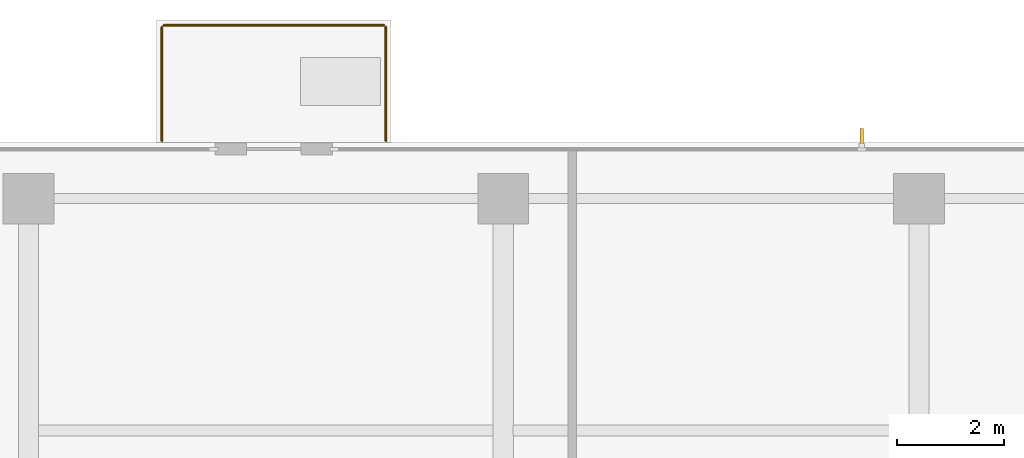
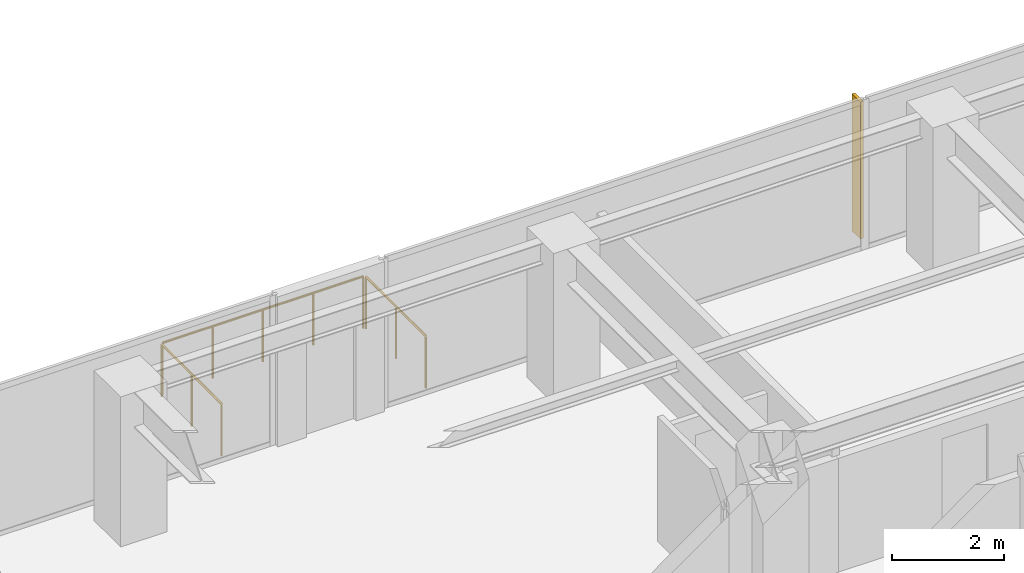
# One storey, part 14 of 14: 3 railings, 1 shading device.
"""IFC4 building model written with IfcOpenShell, lengths in metres."""

import ifcopenshell
import ifcopenshell.guid

model = None  # the IFC model being written
_history = None  # IfcOwnerHistory: only IFC2X3 demands one
_inside = {}  # id of a spatial element -> (the spatial element, [elements in it])
_under = {}  # id of a project, library or spatial element -> (it, [spatial elements below it])
_declared = {}  # id of a project -> (the project, [libraries it declares])
_typed = {}  # id of a type object -> (the type object, [elements of that type])
_made_of = {}  # id of a material, layer set ... -> (it, [elements and type objects made of it])


def new_model(schema):
    """Start an empty IFC model of exactly this schema.

    Asked for "IFC4X3", IfcOpenShell would pick the latest addendum, in which some entities
    have other attributes; the version numbers below select the first issue.
    IFC2X3 requires an IfcOwnerHistory on every rooted entity: one is made here for all.
    """
    global model, _history
    if schema == "IFC4X3":
        model = ifcopenshell.file(schema_version=(4, 3, 0, 0))
    else:
        model = ifcopenshell.file(schema=schema)
    _inside.clear()
    _under.clear()
    _declared.clear()
    _typed.clear()
    _made_of.clear()
    _history = None
    if model.schema == "IFC2X3":
        org = make("IfcOrganization", Name="unknown")
        user = make(
            "IfcPersonAndOrganization",
            ThePerson=make("IfcPerson", FamilyName="unknown"),
            TheOrganization=org,
        )
        app = make(
            "IfcApplication",
            ApplicationDeveloper=org,
            Version="unknown",
            ApplicationFullName="unknown",
            ApplicationIdentifier="unknown",
        )
        _history = make(
            "IfcOwnerHistory",
            OwningUser=user,
            OwningApplication=app,
            ChangeAction="ADDED",
            CreationDate=0,
        )
    return model


def make(cls, **values):
    """One entity of the class cls with the attributes given. An attribute that is None is left unset."""
    return model.create_entity(
        cls, **{name: value for name, value in values.items() if value is not None}
    )


def rooted(cls, **values):
    """An entity with a GlobalId (a new one), such as an element, a storey or a relation."""
    return make(cls, GlobalId=ifcopenshell.guid.new(), OwnerHistory=_history, **values)


def si_unit(unit_type, name, prefix=None):
    """IfcSIUnit, for example si_unit("LENGTHUNIT", "METRE", prefix="MILLI")."""
    return make("IfcSIUnit", UnitType=unit_type, Prefix=prefix, Name=name)


def assignment(units):
    """IfcUnitAssignment: the units of a project."""
    return None if units is None else make("IfcUnitAssignment", Units=units)


def point(xyz):
    """IfcCartesianPoint."""
    return None if xyz is None else make("IfcCartesianPoint", Coordinates=xyz)


def direction(xyz):
    """IfcDirection."""
    return None if xyz is None else make("IfcDirection", DirectionRatios=xyz)


def frame(location, z_axis=None, x_axis=None):
    """IfcAxis2Placement3D, a coordinate frame: its origin and axes. An axis left out is left unset."""
    return make(
        "IfcAxis2Placement3D",
        Location=point(location),
        Axis=direction(z_axis),
        RefDirection=direction(x_axis),
    )


def frame_2d(location, x_axis=None):
    """IfcAxis2Placement2D, a coordinate frame in the plane: its origin and x axis."""
    return make(
        "IfcAxis2Placement2D", Location=point(location), RefDirection=direction(x_axis)
    )


def origin():
    """The frame at (0, 0, 0) with its axes left unset."""
    return frame((0.0, 0.0, 0.0))


def origin_2d():
    """The frame at (0, 0) in the plane with its x axis left unset."""
    return frame_2d((0.0, 0.0))


def place(relative_to, where):
    """IfcLocalPlacement: puts the frame where relative to a parent placement (None: the world)."""
    return make(
        "IfcLocalPlacement", PlacementRelTo=relative_to, RelativePlacement=where
    )


def context(
    kind, dimensions, precision=None, world=None, true_north=None, identifier=None
):
    """IfcGeometricRepresentationContext, for example the 3D "Model" context."""
    return make(
        "IfcGeometricRepresentationContext",
        ContextIdentifier=identifier,
        ContextType=kind,
        CoordinateSpaceDimension=dimensions,
        Precision=precision,
        WorldCoordinateSystem=world,
        TrueNorth=true_north,
    )


def subcontext(parent, identifier, kind, view, scale=None):
    """IfcGeometricRepresentationSubContext, for example "Body" below "Model"."""
    return make(
        "IfcGeometricRepresentationSubContext",
        ContextIdentifier=identifier,
        ContextType=kind,
        ParentContext=parent,
        TargetScale=scale,
        TargetView=view,
    )


def project(units=None, contexts=None):
    """IfcProject with its units and contexts."""
    return rooted(
        "IfcProject",
        Name="project",
        RepresentationContexts=contexts,
        UnitsInContext=assignment(units),
    )


def spatial(cls, under=None, at=None, **own):
    """A site, building, storey or space (cls), placed at a placement, below another one or the project."""
    s = rooted(cls, ObjectPlacement=at, **own)
    if under is not None:
        _under.setdefault(under.id(), (under, []))[1].append(s)
    return s


def polyline(points):
    """IfcPolyline through the points."""
    return make("IfcPolyline", Points=[point(p) for p in points])


def profile(cls, at=None, kind="AREA", **sizes):
    """A parametric profile (cls). Its sizes go by their IFC names, for example OverallWidth=200.0."""
    return make(cls, ProfileType=kind, Position=at, **sizes)


def circle(**sizes):
    """IfcCircleProfileDef."""
    return profile("IfcCircleProfileDef", **sizes)


def outline(outer, holes=None, kind="AREA"):
    """IfcArbitraryClosedProfileDef: a profile drawn as a closed curve; with holes, ...WithVoids."""
    if holes is None:
        return make("IfcArbitraryClosedProfileDef", ProfileType=kind, OuterCurve=outer)
    return make(
        "IfcArbitraryProfileDefWithVoids",
        ProfileType=kind,
        OuterCurve=outer,
        InnerCurves=holes,
    )


def extrude(swept, where, along, depth):
    """IfcExtrudedAreaSolid: the profile swept, set in the frame where, extruded along a direction by depth."""
    return make(
        "IfcExtrudedAreaSolid",
        SweptArea=swept,
        Position=where,
        ExtrudedDirection=direction(along),
        Depth=depth,
    )


def shape(context_of_items, identifier, shape_type, items):
    """IfcShapeRepresentation: the items that make up one representation, for example the "Body"."""
    return make(
        "IfcShapeRepresentation",
        ContextOfItems=context_of_items,
        RepresentationIdentifier=identifier,
        RepresentationType=shape_type,
        Items=items,
    )


def material(Name=None, Category=None):
    """IfcMaterial."""
    return make("IfcMaterial", Name=Name, Category=Category)


def layer(
    of_material, thickness, ventilated=None, Name=None, Category=None, Priority=None
):
    """IfcMaterialLayer: one layer of a wall or slab, of a material (None: an air gap)."""
    return make(
        "IfcMaterialLayer",
        Material=of_material,
        LayerThickness=thickness,
        IsVentilated=ventilated,
        Name=Name,
        Category=Category,
        Priority=Priority,
    )


def layer_set(layers, Name=None):
    """IfcMaterialLayerSet."""
    return make("IfcMaterialLayerSet", MaterialLayers=layers, LayerSetName=Name)


def made_of(thing, what):
    """Note that an element or type object is made of a material, layer set ...; save() writes the relation."""
    if what is not None:
        _made_of.setdefault(what.id(), (what, []))[1].append(thing)
    return thing


def type_object(cls, material=None, **own):
    """A type object (cls), such as IfcWallType, which elements share."""
    return made_of(rooted(cls, **own), material)


def element(
    cls,
    number,
    at=None,
    inside=None,
    cuts=None,
    type_object=None,
    material=None,
    context=None,
    identifier="Body",
    shape_type=None,
    held_by="IfcProductDefinitionShape",
    body=None,
    shapes=None,
    **own,
):
    """One element of the class cls, such as IfcWall. Its Tag is "e" and its number.

    at: its placement. inside: the storey or other place that contains it. cuts: it is an
    opening in that element (IfcRelVoidsElement). A single representation is given by context,
    identifier, shape_type and body (its items); several are given by shapes. held_by: the class
    of the entity that holds the representations. save() writes the other relations.
    """
    e = rooted(cls, Tag="e%d" % number, ObjectPlacement=at, **own)
    if body is not None:
        shapes = [shape(context, identifier, shape_type, body)]
    if shapes is not None:
        e.Representation = make(held_by, Representations=shapes)
    if inside is not None:
        _inside.setdefault(inside.id(), (inside, []))[1].append(e)
    if cuts is not None:
        rooted(
            "IfcRelVoidsElement", RelatingBuildingElement=cuts, RelatedOpeningElement=e
        )
    if type_object is not None:
        _typed.setdefault(type_object.id(), (type_object, []))[1].append(e)
    return made_of(e, material)


def aggregate(whole, parts):
    """IfcRelAggregates: a whole, such as a stair, and the parts it consists of."""
    return rooted("IfcRelAggregates", RelatingObject=whole, RelatedObjects=parts)


def save(model, path):
    """Write the relations noted so far, then the file.

    IfcRelAggregates (storeys below a building ...), IfcRelContainedInSpatialStructure (elements
    in a storey), IfcRelDefinesByType, IfcRelAssociatesMaterial and IfcRelDeclares: one each for
    every whole, place, type object, material and project.
    """
    for whole, parts in _under.values():
        aggregate(whole, parts)
    for where, things in _inside.values():
        rooted(
            "IfcRelContainedInSpatialStructure",
            RelatedElements=things,
            RelatingStructure=where,
        )
    for kind, things in _typed.values():
        rooted("IfcRelDefinesByType", RelatedObjects=things, RelatingType=kind)
    for what, things in _made_of.values():
        rooted("IfcRelAssociatesMaterial", RelatedObjects=things, RelatingMaterial=what)
    for by, libraries in _declared.values():
        rooted("IfcRelDeclares", RelatingContext=by, RelatedDefinitions=libraries)
    model.write(path)


model = new_model("IFC4")

# Units and contexts
model_context = context("Model", 3, precision=1e-05, world=origin(), true_north=direction((0.0, 1.0)))
body_context = subcontext(model_context, "Body", "Model", "MODEL_VIEW")
ifc_project = project(units=[si_unit("LENGTHUNIT", "METRE"), si_unit("AREAUNIT", "SQUARE_METRE"), si_unit("VOLUMEUNIT", "CUBIC_METRE"), si_unit("PLANEANGLEUNIT", "RADIAN"), si_unit("MASSUNIT", "GRAM", prefix="KILO")], contexts=[model_context])

# Site, building, storey
site_placement = place(None, origin())
site = spatial("IfcSite", under=ifc_project, at=site_placement, CompositionType="ELEMENT")
building_placement = place(site_placement, origin())
building = spatial("IfcBuilding", under=site, at=building_placement, Name="Qalmaran Belvedere Hotel", CompositionType="ELEMENT")
storey_placement = place(building_placement, frame((0.0, 0.0, 217.89990234375)))
storey = spatial("IfcBuildingStorey", under=building, at=storey_placement, Name="L55", CompositionType="ELEMENT", Elevation=217.89990234375)

# Shading device
ifc_material = material(Name="Anodised Bronze Aluminium", Category="aluminium")
ifc_layer = layer(ifc_material, 0.06494140625, Name="Anodised Bronze Aluminium")
ifc_layer_set = layer_set([ifc_layer], Name="Anodised Bronze Aluminium")
shading_device_type = type_object("IfcShadingDeviceType", Name="FIN-BRNZ-300", PredefinedType="USERDEFINED", material=ifc_layer_set)
shading_device_placement = place(storey_placement, frame((0.0, 0.0, 0.16015625)))
element("IfcShadingDevice", 1, at=shading_device_placement, inside=storey, type_object=shading_device_type, Name="L55 Bronze Fin 1", ObjectType="FIN", PredefinedType="USERDEFINED", context=body_context, shape_type="SweptSolid", body=[
    extrude(outline(polyline([(35.95751953125, 41.467529296875), (35.95751953125, 41.767578125), (35.892578125, 41.767578125), (35.892578125, 41.467529296875), (35.95751953125, 41.467529296875)])), origin(), (0.0, 0.0, 1.0), 2.97998046875),
])

# Railings
railing_type = type_object("IfcRailingType", Name="GRD-BAL-1150", PredefinedType="BALUSTRADE", material=ifc_material)
railing_1_placement = place(storey_placement, frame((22.800048828125, 41.534912109375, 0.0)))
element("IfcRailing", 2, at=railing_1_placement, inside=storey, type_object=railing_type, Name="L55 Guardrail BAL-L55-N-1", PredefinedType="BALUSTRADE", context=body_context, shape_type="SweptSolid", body=[
    extrude(circle(Radius=0.02392578125, at=origin_2d()), frame((0.0, 0.0, 1.1259765625), z_axis=(0.0, 1.0, 0.0), x_axis=(-1.0, 0.0, 0.0)), (0.0, 0.0, 1.0), 2.130126953125),
    extrude(circle(Radius=0.02099609375, at=origin_2d()), origin(), (0.0, 0.0, 1.0), 1.101806640625),
    extrude(circle(Radius=0.02099609375, at=origin_2d()), frame((0.0, 1.06494140625, 0.0)), (0.0, 0.0, 1.0), 1.101806640625),
    extrude(circle(Radius=0.02099609375, at=origin_2d()), frame((0.0, 2.130126953125, 0.0)), (0.0, 0.0, 1.0), 1.101806640625),
])
railing_2_placement = place(storey_placement, frame((22.8349609375, 43.699951171875, 0.0)))
element("IfcRailing", 3, at=railing_2_placement, inside=storey, type_object=railing_type, Name="L55 Guardrail BAL-L55-N-2", PredefinedType="BALUSTRADE", context=body_context, shape_type="SweptSolid", body=[
    extrude(circle(Radius=0.02392578125, at=origin_2d()), frame((0.0, 0.0, 1.1259765625), z_axis=(1.0, 0.0, 0.0), x_axis=(0.0, 1.0, 0.0)), (0.0, 0.0, 1.0), 4.130126953125),
    extrude(circle(Radius=0.02099609375, at=origin_2d()), origin(), (0.0, 0.0, 1.0), 1.101806640625),
    extrude(circle(Radius=0.02099609375, at=origin_2d()), frame((1.032470703125, 0.0, 0.0)), (0.0, 0.0, 1.0), 1.101806640625),
    extrude(circle(Radius=0.02099609375, at=origin_2d()), frame((2.06494140625, 0.0, 0.0)), (0.0, 0.0, 1.0), 1.101806640625),
    extrude(circle(Radius=0.02099609375, at=origin_2d()), frame((3.09765625, 0.0, 0.0)), (0.0, 0.0, 1.0), 1.101806640625),
    extrude(circle(Radius=0.02099609375, at=origin_2d()), frame((4.130126953125, 0.0, 0.0)), (0.0, 0.0, 1.0), 1.101806640625),
])
railing_3_placement = place(storey_placement, frame((27.0, 43.6650390625, 0.0)))
element("IfcRailing", 4, at=railing_3_placement, inside=storey, type_object=railing_type, Name="L55 Guardrail BAL-L55-N-3", PredefinedType="BALUSTRADE", context=body_context, shape_type="SweptSolid", body=[
    extrude(circle(Radius=0.02392578125, at=origin_2d()), frame((0.0, 0.0, 1.1259765625), z_axis=(0.0, -1.0, 0.0), x_axis=(1.0, 0.0, 0.0)), (0.0, 0.0, 1.0), 2.130126953125),
    extrude(circle(Radius=0.02099609375, at=origin_2d()), origin(), (0.0, 0.0, 1.0), 1.101806640625),
    extrude(circle(Radius=0.02099609375, at=origin_2d()), frame((0.0, -1.06494140625, 0.0)), (0.0, 0.0, 1.0), 1.101806640625),
    extrude(circle(Radius=0.02099609375, at=origin_2d()), frame((0.0, -2.130126953125, 0.0)), (0.0, 0.0, 1.0), 1.101806640625),
])

save(model, "model.ifc")
